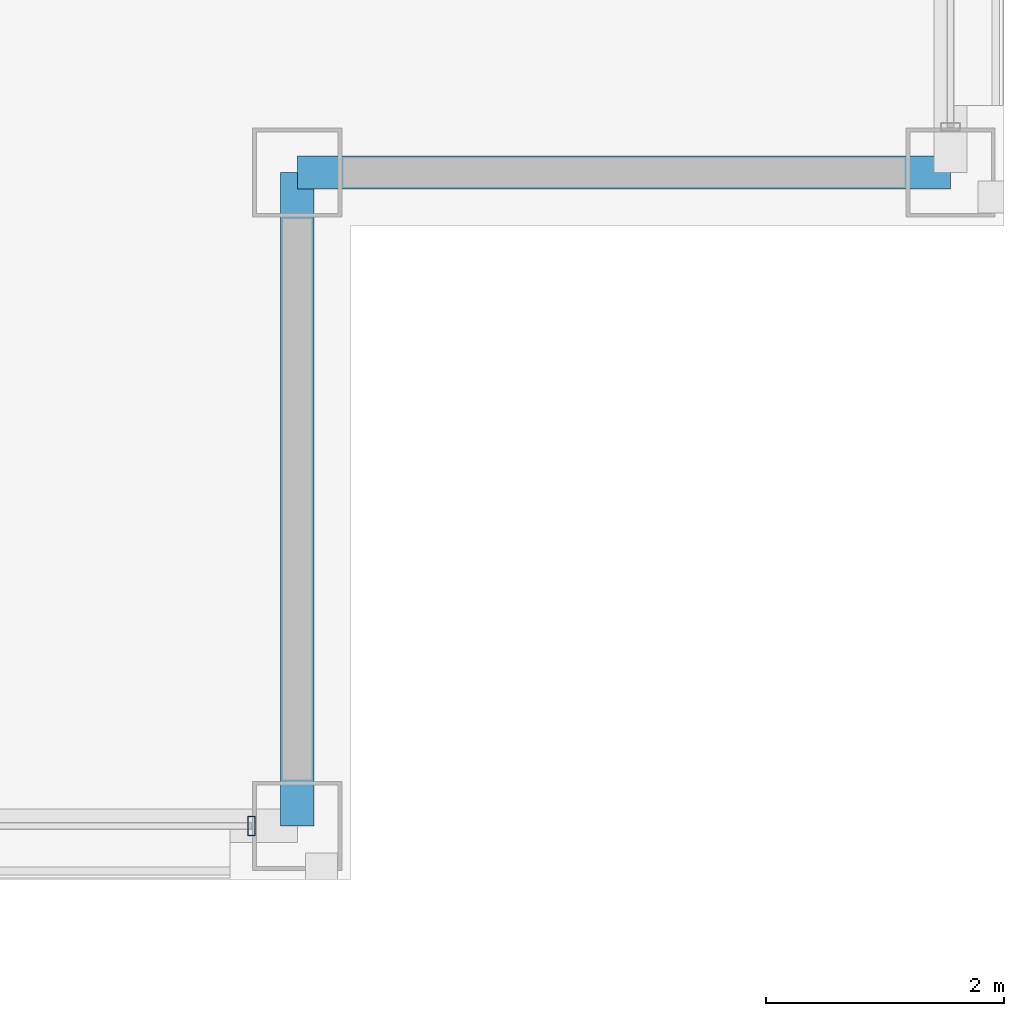
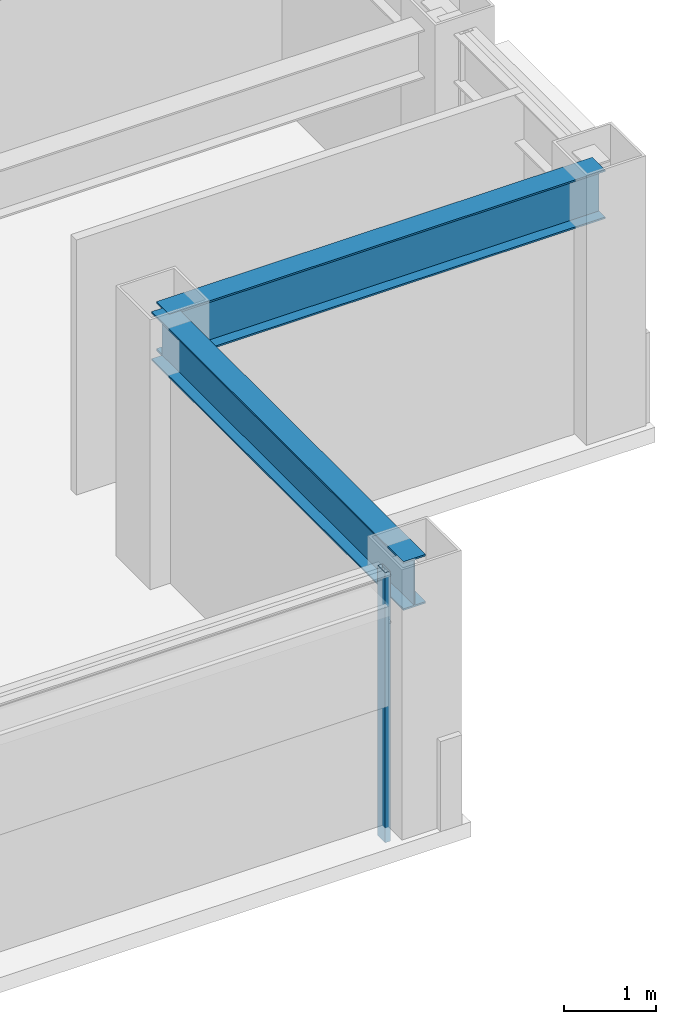
# One storey, part 11 of 30: 2 beams, 1 member, 1 element without a shape of its own.
"""IFC4 building model written with IfcOpenShell, lengths in metres."""

from ifc_helpers import new_model, si_unit, direction, frame, origin, origin_2d, place, context, subcontext, project, spatial, hollow_rectangle, i_section, extrude, material, layer, layer_set, material_profile, profile_set, type_object, element, aggregate, save


model = new_model("IFC4")

# Units and contexts
model_context = context("Model", 3, precision=1e-05, world=origin(), true_north=direction((0.0, 1.0)))
body_context = subcontext(model_context, "Body", "Model", "MODEL_VIEW")
ifc_project = project(units=[si_unit("LENGTHUNIT", "METRE"), si_unit("AREAUNIT", "SQUARE_METRE"), si_unit("VOLUMEUNIT", "CUBIC_METRE"), si_unit("PLANEANGLEUNIT", "RADIAN"), si_unit("MASSUNIT", "GRAM", prefix="KILO")], contexts=[model_context])

# Site, building, storey
site_placement = place(None, origin())
site = spatial("IfcSite", under=ifc_project, at=site_placement, CompositionType="ELEMENT")
building_placement = place(site_placement, origin())
building = spatial("IfcBuilding", under=site, at=building_placement, Name="Brelmoor Portico Tower", CompositionType="ELEMENT")
storey_placement = place(building_placement, frame((0.0, 0.0, 169.5)))
storey = spatial("IfcBuildingStorey", under=building, at=storey_placement, Name="L44", CompositionType="ELEMENT", Elevation=169.5)

# Beams
ifc_material_1 = material(Name="Steel Q355B", Category="steel")
ifc_material_profile_1 = material_profile(ifc_material_1, i_section(OverallWidth=0.280029296875, OverallDepth=0.64990234375, WebThickness=0.012939453125, FlangeThickness=0.02197265625, at=origin_2d()), Name="HN 650x280x13x22")
ifc_profile_set_1 = profile_set([ifc_material_profile_1], Name="Steel Q355B")
beam_type = type_object("IfcBeamType", Name="BM-SP-650", PredefinedType="SPANDREL", material=ifc_profile_set_1)
for number, where, z_axis, x_axis, name in (
    (1, (15.050048828125, -13.050048828125, 3.074951171875), (1.0, 0.0, 0.0), (0.0, 1.0, 0.0), "L44 Perimeter Spandrel Beam SP-05"),
    (2, (15.050048828125, -18.550048828125, 3.074951171875), (0.0, 1.0, 0.0), (-1.0, 0.0, 0.0), "L44 Perimeter Spandrel Beam SP-16"),
):
    element("IfcBeam", number, at=place(storey_placement, frame(where, z_axis=z_axis, x_axis=x_axis)), inside=storey, type_object=beam_type, Name=name, PredefinedType="SPANDREL", context=body_context, shape_type="SweptSolid", body=[
        extrude(i_section(OverallWidth=0.280029296875, OverallDepth=0.64990234375, WebThickness=0.012939453125, FlangeThickness=0.02197265625, at=origin_2d()), origin(), (0.0, 0.0, 1.0), 5.5),
    ])

# Curtain wall, member
ifc_material_2 = material(Name="Anodised Aluminium Alloy 6063-T6", Category="aluminium")
ifc_layer = layer(ifc_material_2, 0.179931640625)
ifc_layer_set = layer_set([ifc_layer], Name="Anodised Aluminium Alloy 6063-T6")
curtain_wall_type = type_object("IfcCurtainWallType", Name="CW-TOWER-Z3-XB", PredefinedType="NOTDEFINED", material=ifc_layer_set)
curtain_wall_placement = place(storey_placement, origin())
curtain_wall = element("IfcCurtainWall", 3, at=curtain_wall_placement, inside=storey, type_object=curtain_wall_type, Name="L44 Curtain Wall CW-L44-1R-2", PredefinedType="NOTDEFINED")
ifc_material_profile_2 = material_profile(ifc_material_2, hollow_rectangle(XDim=0.06494140625, YDim=0.1650390625, WallThickness=0.00390625, at=origin_2d()), Name="ALU MULLION 65x165")
ifc_profile_set_2 = profile_set([ifc_material_profile_2], Name="Anodised Aluminium Alloy 6063-T6")
member_type = type_object("IfcMemberType", Name="MB-CW-MULL-165", PredefinedType="MULLION", material=ifc_profile_set_2)
member_placement = place(storey_placement, frame((14.6650390625, -18.550048828125, -0.199951171875), z_axis=(0.0, 0.0, 1.0), x_axis=(1.0, 0.0, 0.0)))
member = element("IfcMember", 4, at=member_placement, type_object=member_type, Name="CW-L44-1R-2 Mullion 01", PredefinedType="MULLION", context=body_context, shape_type="SweptSolid", body=[
    extrude(hollow_rectangle(XDim=0.06494140625, YDim=0.1650390625, WallThickness=0.00390625, at=origin_2d()), origin(), (0.0, 0.0, 1.0), 3.599853515625),
])
aggregate(curtain_wall, [member])

save(model, "model.ifc")
